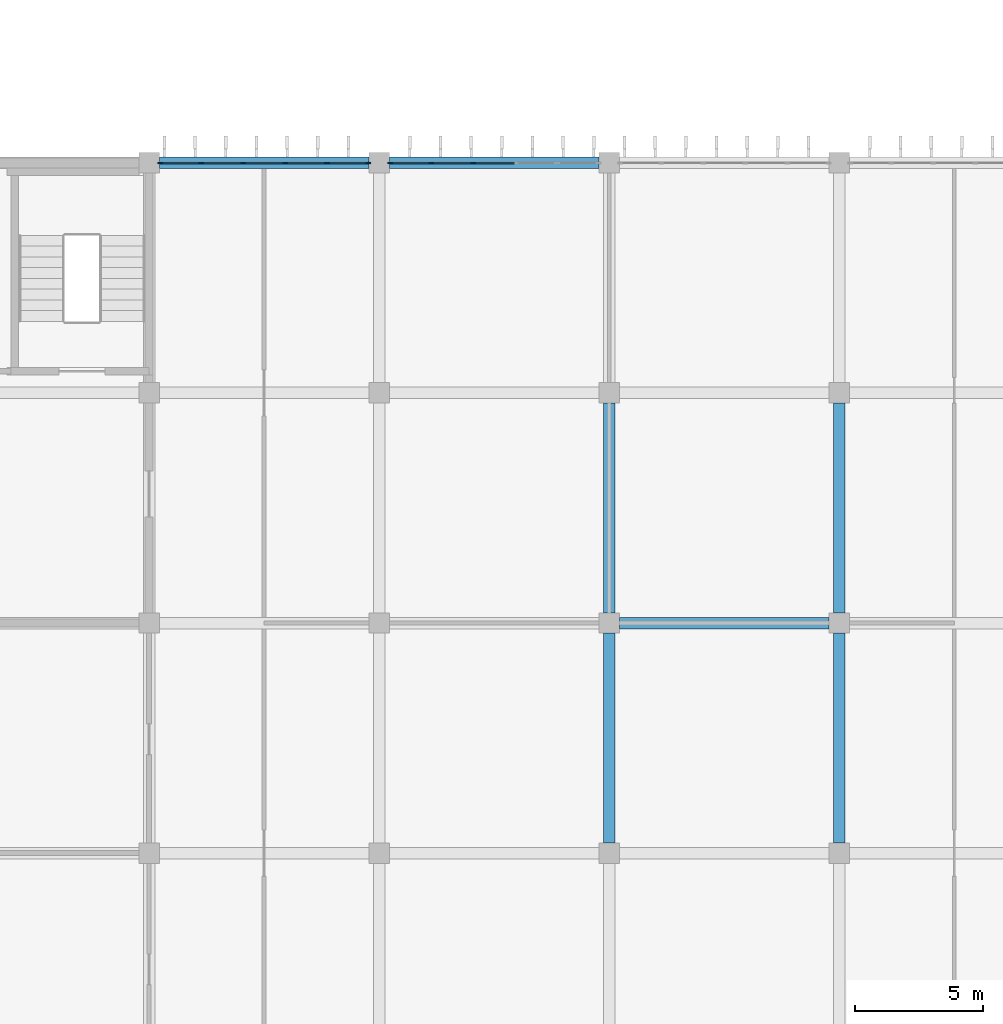
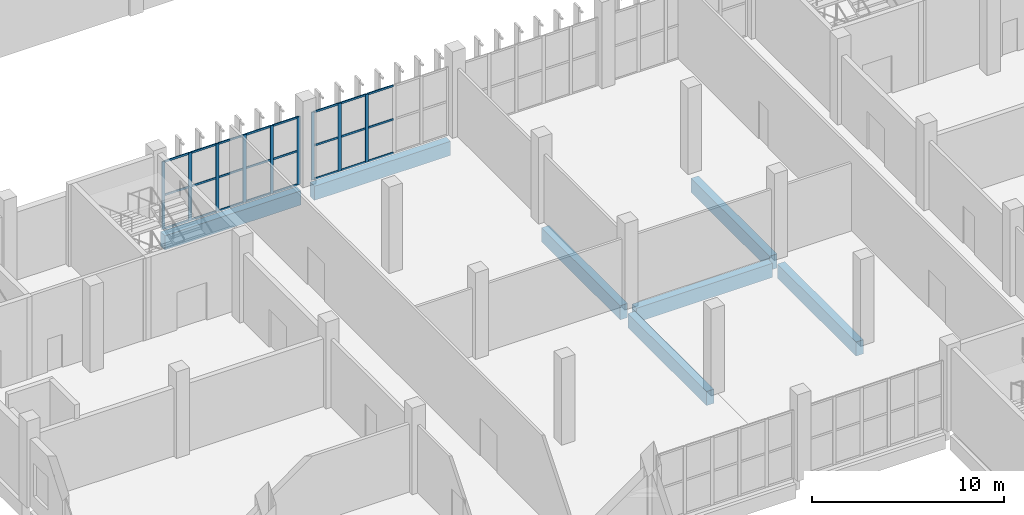
# One storey, part 26 of 185: 33 members, 7 beams, 2 elements without a shape of their own.
"""IFC4 building model written with IfcOpenShell, lengths in metres."""

from ifc_helpers import new_model, si_unit, direction, frame, origin, origin_2d, place, context, subcontext, project, spatial, rectangle, extrude, material, layer, layer_set, material_profile, profile_set, type_object, element, aggregate, save


model = new_model("IFC4")

# Units and contexts
model_context = context("Model", 3, precision=1e-05, world=origin(), true_north=direction((0.0, 1.0)))
body_context = subcontext(model_context, "Body", "Model", "MODEL_VIEW")
ifc_project = project(units=[si_unit("LENGTHUNIT", "METRE"), si_unit("AREAUNIT", "SQUARE_METRE"), si_unit("VOLUMEUNIT", "CUBIC_METRE"), si_unit("PLANEANGLEUNIT", "RADIAN"), si_unit("MASSUNIT", "GRAM", prefix="KILO")], contexts=[model_context])

# Site, building, storey
site_placement = place(None, origin())
site = spatial("IfcSite", under=ifc_project, at=site_placement, CompositionType="ELEMENT")
building_placement = place(site_placement, origin())
building = spatial("IfcBuilding", under=site, at=building_placement, Name="Opaline Strait Convention Centre", CompositionType="ELEMENT")
storey_placement = place(building_placement, frame((0.0, 0.0, 6.0)))
storey = spatial("IfcBuildingStorey", under=building, at=storey_placement, Name="L01", CompositionType="ELEMENT", Elevation=6.0)

# Curtain wall, members
ifc_material_1 = material(Name="Aluminium framed double glazing", Category="aluminium")
ifc_layer = layer(ifc_material_1, 0.199951171875)
ifc_layer_set = layer_set([ifc_layer], Name="Aluminium framed double glazing")
curtain_wall_type = type_object("IfcCurtainWallType", Name="Curtain wall 1500 module", PredefinedType="NOTDEFINED", material=ifc_layer_set)
curtain_wall_1_placement = place(storey_placement, origin())
curtain_wall_1 = element("IfcCurtainWall", 1, at=curtain_wall_1_placement, inside=storey, type_object=curtain_wall_type, Name="L01 N facade glazing bay 3", PredefinedType="NOTDEFINED")
ifc_material_2 = material(Name="Aluminium alloy 6063", Category="aluminium")
ifc_material_profile_1 = material_profile(ifc_material_2, rectangle(XDim=0.06005859375, YDim=0.199951171875, at=origin_2d()), Name="Curtain wall mullion 60x200")
ifc_profile_set_1 = profile_set([ifc_material_profile_1], Name="Aluminium alloy 6063")
member_type_1 = type_object("IfcMemberType", Name="Curtain wall mullion 60x200", PredefinedType="MULLION", material=ifc_profile_set_1)
member_1_placement = place(storey_placement, frame((27.429931640625, 99.0, 0.0), z_axis=(0.0, 0.0, 1.0), x_axis=(0.0, 1.0, 0.0)))
member_1 = element("IfcMember", 2, at=member_1_placement, type_object=member_type_1, Name="RCW1 mullion 1", PredefinedType="MULLION", context=body_context, shape_type="SweptSolid", body=[
    extrude(rectangle(XDim=0.06005859375, YDim=0.199951171875, at=origin_2d()), origin(), (0.0, 0.0, 1.0), 4.320068359375),
])
member_2_placement = place(storey_placement, frame((29.0400390625, 99.0, 0.0), z_axis=(0.0, 0.0, 1.0), x_axis=(0.0, 1.0, 0.0)))
member_2 = element("IfcMember", 3, at=member_2_placement, type_object=member_type_1, Name="RCW1 mullion 2", PredefinedType="MULLION", context=body_context, shape_type="SweptSolid", body=[
    extrude(rectangle(XDim=0.06005859375, YDim=0.199951171875, at=origin_2d()), origin(), (0.0, 0.0, 1.0), 4.320068359375),
])
member_3_placement = place(storey_placement, frame((30.679931640625, 99.0, 0.0), z_axis=(0.0, 0.0, 1.0), x_axis=(0.0, 1.0, 0.0)))
member_3 = element("IfcMember", 4, at=member_3_placement, type_object=member_type_1, Name="RCW1 mullion 3", PredefinedType="MULLION", context=body_context, shape_type="SweptSolid", body=[
    extrude(rectangle(XDim=0.06005859375, YDim=0.199951171875, at=origin_2d()), origin(), (0.0, 0.0, 1.0), 4.320068359375),
])
member_4_placement = place(storey_placement, frame((32.320068359375, 99.0, 0.0), z_axis=(0.0, 0.0, 1.0), x_axis=(0.0, 1.0, 0.0)))
member_4 = element("IfcMember", 5, at=member_4_placement, type_object=member_type_1, Name="RCW1 mullion 4", PredefinedType="MULLION", context=body_context, shape_type="SweptSolid", body=[
    extrude(rectangle(XDim=0.06005859375, YDim=0.199951171875, at=origin_2d()), origin(), (0.0, 0.0, 1.0), 4.320068359375),
])
member_5_placement = place(storey_placement, frame((33.9599609375, 99.0, 0.0), z_axis=(0.0, 0.0, 1.0), x_axis=(0.0, 1.0, 0.0)))
member_5 = element("IfcMember", 6, at=member_5_placement, type_object=member_type_1, Name="RCW1 mullion 5", PredefinedType="MULLION", context=body_context, shape_type="SweptSolid", body=[
    extrude(rectangle(XDim=0.06005859375, YDim=0.199951171875, at=origin_2d()), origin(), (0.0, 0.0, 1.0), 4.320068359375),
])
member_6_placement = place(storey_placement, frame((35.570068359375, 99.0, 0.0), z_axis=(0.0, 0.0, 1.0), x_axis=(0.0, 1.0, 0.0)))
member_6 = element("IfcMember", 7, at=member_6_placement, type_object=member_type_1, Name="RCW1 mullion 6", PredefinedType="MULLION", context=body_context, shape_type="SweptSolid", body=[
    extrude(rectangle(XDim=0.06005859375, YDim=0.199951171875, at=origin_2d()), origin(), (0.0, 0.0, 1.0), 4.320068359375),
])

curtain_wall_2_placement = place(storey_placement, origin())
curtain_wall_2 = element("IfcCurtainWall", 8, at=curtain_wall_2_placement, inside=storey, type_object=curtain_wall_type, Name="L01 N facade glazing bay 4", PredefinedType="NOTDEFINED")
member_7_placement = place(storey_placement, frame((36.429931640625, 99.0, 0.0), z_axis=(0.0, 0.0, 1.0), x_axis=(0.0, 1.0, 0.0)))
member_7 = element("IfcMember", 9, at=member_7_placement, type_object=member_type_1, Name="RCW1 mullion 1", PredefinedType="MULLION", context=body_context, shape_type="SweptSolid", body=[
    extrude(rectangle(XDim=0.06005859375, YDim=0.199951171875, at=origin_2d()), origin(), (0.0, 0.0, 1.0), 4.320068359375),
])
member_8_placement = place(storey_placement, frame((38.0400390625, 99.0, 0.0), z_axis=(0.0, 0.0, 1.0), x_axis=(0.0, 1.0, 0.0)))
member_8 = element("IfcMember", 10, at=member_8_placement, type_object=member_type_1, Name="RCW1 mullion 2", PredefinedType="MULLION", context=body_context, shape_type="SweptSolid", body=[
    extrude(rectangle(XDim=0.06005859375, YDim=0.199951171875, at=origin_2d()), origin(), (0.0, 0.0, 1.0), 4.320068359375),
])
member_9_placement = place(storey_placement, frame((39.679931640625, 99.0, 0.0), z_axis=(0.0, 0.0, 1.0), x_axis=(0.0, 1.0, 0.0)))
member_9 = element("IfcMember", 11, at=member_9_placement, type_object=member_type_1, Name="RCW1 mullion 3", PredefinedType="MULLION", context=body_context, shape_type="SweptSolid", body=[
    extrude(rectangle(XDim=0.06005859375, YDim=0.199951171875, at=origin_2d()), origin(), (0.0, 0.0, 1.0), 4.320068359375),
])

# Member
ifc_material_profile_2 = material_profile(ifc_material_2, rectangle(XDim=0.06005859375, YDim=0.1201171875, at=origin_2d()), Name="Curtain wall transom 60x120")
ifc_profile_set_2 = profile_set([ifc_material_profile_2], Name="Aluminium alloy 6063")
member_type_2 = type_object("IfcMemberType", Name="Curtain wall transom 60x120", PredefinedType="USERDEFINED", material=ifc_profile_set_2)
member_10_placement = place(storey_placement, frame((27.4599609375, 99.0, 0.030029296875), z_axis=(1.0, 0.0, 0.0), x_axis=(0.0, 1.0, 0.0)))
member_10 = element("IfcMember", 12, at=member_10_placement, type_object=member_type_2, Name="RCW1 transom 1.1", ObjectType="TRANSOM", PredefinedType="USERDEFINED", context=body_context, shape_type="SweptSolid", body=[
    extrude(rectangle(XDim=0.06005859375, YDim=0.1201171875, at=origin_2d()), origin(), (0.0, 0.0, 1.0), 1.550048828125),
])

member_11_placement = place(storey_placement, frame((27.4599609375, 99.0, 2.159912109375), z_axis=(1.0, 0.0, 0.0), x_axis=(0.0, 1.0, 0.0)))
member_11 = element("IfcMember", 13, at=member_11_placement, type_object=member_type_2, Name="RCW1 transom 1.2", ObjectType="TRANSOM", PredefinedType="USERDEFINED", context=body_context, shape_type="SweptSolid", body=[
    extrude(rectangle(XDim=0.06005859375, YDim=0.1201171875, at=origin_2d()), origin(), (0.0, 0.0, 1.0), 1.550048828125),
])

member_12_placement = place(storey_placement, frame((27.4599609375, 99.0, 4.2900390625), z_axis=(1.0, 0.0, 0.0), x_axis=(0.0, 1.0, 0.0)))
member_12 = element("IfcMember", 14, at=member_12_placement, type_object=member_type_2, Name="RCW1 transom 1.3", ObjectType="TRANSOM", PredefinedType="USERDEFINED", context=body_context, shape_type="SweptSolid", body=[
    extrude(rectangle(XDim=0.06005859375, YDim=0.1201171875, at=origin_2d()), origin(), (0.0, 0.0, 1.0), 1.550048828125),
])

member_13_placement = place(storey_placement, frame((29.06982421875, 99.0, 0.030029296875), z_axis=(1.0, 0.0, 0.0), x_axis=(0.0, 1.0, 0.0)))
member_13 = element("IfcMember", 15, at=member_13_placement, type_object=member_type_2, Name="RCW1 transom 2.1", ObjectType="TRANSOM", PredefinedType="USERDEFINED", context=body_context, shape_type="SweptSolid", body=[
    extrude(rectangle(XDim=0.06005859375, YDim=0.1201171875, at=origin_2d()), origin(), (0.0, 0.0, 1.0), 1.580078125),
])

member_14_placement = place(storey_placement, frame((29.06982421875, 99.0, 2.159912109375), z_axis=(1.0, 0.0, 0.0), x_axis=(0.0, 1.0, 0.0)))
member_14 = element("IfcMember", 16, at=member_14_placement, type_object=member_type_2, Name="RCW1 transom 2.2", ObjectType="TRANSOM", PredefinedType="USERDEFINED", context=body_context, shape_type="SweptSolid", body=[
    extrude(rectangle(XDim=0.06005859375, YDim=0.1201171875, at=origin_2d()), origin(), (0.0, 0.0, 1.0), 1.580078125),
])

member_15_placement = place(storey_placement, frame((29.06982421875, 99.0, 4.2900390625), z_axis=(1.0, 0.0, 0.0), x_axis=(0.0, 1.0, 0.0)))
member_15 = element("IfcMember", 17, at=member_15_placement, type_object=member_type_2, Name="RCW1 transom 2.3", ObjectType="TRANSOM", PredefinedType="USERDEFINED", context=body_context, shape_type="SweptSolid", body=[
    extrude(rectangle(XDim=0.06005859375, YDim=0.1201171875, at=origin_2d()), origin(), (0.0, 0.0, 1.0), 1.580078125),
])

member_16_placement = place(storey_placement, frame((30.7099609375, 99.0, 0.030029296875), z_axis=(1.0, 0.0, 0.0), x_axis=(0.0, 1.0, 0.0)))
member_16 = element("IfcMember", 18, at=member_16_placement, type_object=member_type_2, Name="RCW1 transom 3.1", ObjectType="TRANSOM", PredefinedType="USERDEFINED", context=body_context, shape_type="SweptSolid", body=[
    extrude(rectangle(XDim=0.06005859375, YDim=0.1201171875, at=origin_2d()), origin(), (0.0, 0.0, 1.0), 1.580078125),
])

member_17_placement = place(storey_placement, frame((30.7099609375, 99.0, 2.159912109375), z_axis=(1.0, 0.0, 0.0), x_axis=(0.0, 1.0, 0.0)))
member_17 = element("IfcMember", 19, at=member_17_placement, type_object=member_type_2, Name="RCW1 transom 3.2", ObjectType="TRANSOM", PredefinedType="USERDEFINED", context=body_context, shape_type="SweptSolid", body=[
    extrude(rectangle(XDim=0.06005859375, YDim=0.1201171875, at=origin_2d()), origin(), (0.0, 0.0, 1.0), 1.580078125),
])

member_18_placement = place(storey_placement, frame((30.7099609375, 99.0, 4.2900390625), z_axis=(1.0, 0.0, 0.0), x_axis=(0.0, 1.0, 0.0)))
member_18 = element("IfcMember", 20, at=member_18_placement, type_object=member_type_2, Name="RCW1 transom 3.3", ObjectType="TRANSOM", PredefinedType="USERDEFINED", context=body_context, shape_type="SweptSolid", body=[
    extrude(rectangle(XDim=0.06005859375, YDim=0.1201171875, at=origin_2d()), origin(), (0.0, 0.0, 1.0), 1.580078125),
])

member_19_placement = place(storey_placement, frame((32.35009765625, 99.0, 0.030029296875), z_axis=(1.0, 0.0, 0.0), x_axis=(0.0, 1.0, 0.0)))
member_19 = element("IfcMember", 21, at=member_19_placement, type_object=member_type_2, Name="RCW1 transom 4.1", ObjectType="TRANSOM", PredefinedType="USERDEFINED", context=body_context, shape_type="SweptSolid", body=[
    extrude(rectangle(XDim=0.06005859375, YDim=0.1201171875, at=origin_2d()), origin(), (0.0, 0.0, 1.0), 1.580078125),
])

member_20_placement = place(storey_placement, frame((32.35009765625, 99.0, 2.159912109375), z_axis=(1.0, 0.0, 0.0), x_axis=(0.0, 1.0, 0.0)))
member_20 = element("IfcMember", 22, at=member_20_placement, type_object=member_type_2, Name="RCW1 transom 4.2", ObjectType="TRANSOM", PredefinedType="USERDEFINED", context=body_context, shape_type="SweptSolid", body=[
    extrude(rectangle(XDim=0.06005859375, YDim=0.1201171875, at=origin_2d()), origin(), (0.0, 0.0, 1.0), 1.580078125),
])

member_21_placement = place(storey_placement, frame((32.35009765625, 99.0, 4.2900390625), z_axis=(1.0, 0.0, 0.0), x_axis=(0.0, 1.0, 0.0)))
member_21 = element("IfcMember", 23, at=member_21_placement, type_object=member_type_2, Name="RCW1 transom 4.3", ObjectType="TRANSOM", PredefinedType="USERDEFINED", context=body_context, shape_type="SweptSolid", body=[
    extrude(rectangle(XDim=0.06005859375, YDim=0.1201171875, at=origin_2d()), origin(), (0.0, 0.0, 1.0), 1.580078125),
])

member_22_placement = place(storey_placement, frame((33.989990234375, 99.0, 0.030029296875), z_axis=(1.0, 0.0, 0.0), x_axis=(0.0, 1.0, 0.0)))
member_22 = element("IfcMember", 24, at=member_22_placement, type_object=member_type_2, Name="RCW1 transom 5.1", ObjectType="TRANSOM", PredefinedType="USERDEFINED", context=body_context, shape_type="SweptSolid", body=[
    extrude(rectangle(XDim=0.06005859375, YDim=0.1201171875, at=origin_2d()), origin(), (0.0, 0.0, 1.0), 1.550048828125),
])

member_23_placement = place(storey_placement, frame((33.989990234375, 99.0, 2.159912109375), z_axis=(1.0, 0.0, 0.0), x_axis=(0.0, 1.0, 0.0)))
member_23 = element("IfcMember", 25, at=member_23_placement, type_object=member_type_2, Name="RCW1 transom 5.2", ObjectType="TRANSOM", PredefinedType="USERDEFINED", context=body_context, shape_type="SweptSolid", body=[
    extrude(rectangle(XDim=0.06005859375, YDim=0.1201171875, at=origin_2d()), origin(), (0.0, 0.0, 1.0), 1.550048828125),
])

member_24_placement = place(storey_placement, frame((33.989990234375, 99.0, 4.2900390625), z_axis=(1.0, 0.0, 0.0), x_axis=(0.0, 1.0, 0.0)))
member_24 = element("IfcMember", 26, at=member_24_placement, type_object=member_type_2, Name="RCW1 transom 5.3", ObjectType="TRANSOM", PredefinedType="USERDEFINED", context=body_context, shape_type="SweptSolid", body=[
    extrude(rectangle(XDim=0.06005859375, YDim=0.1201171875, at=origin_2d()), origin(), (0.0, 0.0, 1.0), 1.550048828125),
])

aggregate(curtain_wall_1, [member_1, member_2, member_3, member_4, member_5, member_6, member_10, member_11, member_12, member_13, member_14, member_15, member_16, member_17, member_18, member_19, member_20, member_21, member_22, member_23, member_24])

member_25_placement = place(storey_placement, frame((36.4599609375, 99.0, 0.030029296875), z_axis=(1.0, 0.0, 0.0), x_axis=(0.0, 1.0, 0.0)))
member_25 = element("IfcMember", 27, at=member_25_placement, type_object=member_type_2, Name="RCW1 transom 1.1", ObjectType="TRANSOM", PredefinedType="USERDEFINED", context=body_context, shape_type="SweptSolid", body=[
    extrude(rectangle(XDim=0.06005859375, YDim=0.1201171875, at=origin_2d()), origin(), (0.0, 0.0, 1.0), 1.550048828125),
])

member_26_placement = place(storey_placement, frame((36.4599609375, 99.0, 2.159912109375), z_axis=(1.0, 0.0, 0.0), x_axis=(0.0, 1.0, 0.0)))
member_26 = element("IfcMember", 28, at=member_26_placement, type_object=member_type_2, Name="RCW1 transom 1.2", ObjectType="TRANSOM", PredefinedType="USERDEFINED", context=body_context, shape_type="SweptSolid", body=[
    extrude(rectangle(XDim=0.06005859375, YDim=0.1201171875, at=origin_2d()), origin(), (0.0, 0.0, 1.0), 1.550048828125),
])

member_27_placement = place(storey_placement, frame((36.4599609375, 99.0, 4.2900390625), z_axis=(1.0, 0.0, 0.0), x_axis=(0.0, 1.0, 0.0)))
member_27 = element("IfcMember", 29, at=member_27_placement, type_object=member_type_2, Name="RCW1 transom 1.3", ObjectType="TRANSOM", PredefinedType="USERDEFINED", context=body_context, shape_type="SweptSolid", body=[
    extrude(rectangle(XDim=0.06005859375, YDim=0.1201171875, at=origin_2d()), origin(), (0.0, 0.0, 1.0), 1.550048828125),
])

member_28_placement = place(storey_placement, frame((38.06982421875, 99.0, 0.030029296875), z_axis=(1.0, 0.0, 0.0), x_axis=(0.0, 1.0, 0.0)))
member_28 = element("IfcMember", 30, at=member_28_placement, type_object=member_type_2, Name="RCW1 transom 2.1", ObjectType="TRANSOM", PredefinedType="USERDEFINED", context=body_context, shape_type="SweptSolid", body=[
    extrude(rectangle(XDim=0.06005859375, YDim=0.1201171875, at=origin_2d()), origin(), (0.0, 0.0, 1.0), 1.580078125),
])

member_29_placement = place(storey_placement, frame((38.06982421875, 99.0, 2.159912109375), z_axis=(1.0, 0.0, 0.0), x_axis=(0.0, 1.0, 0.0)))
member_29 = element("IfcMember", 31, at=member_29_placement, type_object=member_type_2, Name="RCW1 transom 2.2", ObjectType="TRANSOM", PredefinedType="USERDEFINED", context=body_context, shape_type="SweptSolid", body=[
    extrude(rectangle(XDim=0.06005859375, YDim=0.1201171875, at=origin_2d()), origin(), (0.0, 0.0, 1.0), 1.580078125),
])

member_30_placement = place(storey_placement, frame((38.06982421875, 99.0, 4.2900390625), z_axis=(1.0, 0.0, 0.0), x_axis=(0.0, 1.0, 0.0)))
member_30 = element("IfcMember", 32, at=member_30_placement, type_object=member_type_2, Name="RCW1 transom 2.3", ObjectType="TRANSOM", PredefinedType="USERDEFINED", context=body_context, shape_type="SweptSolid", body=[
    extrude(rectangle(XDim=0.06005859375, YDim=0.1201171875, at=origin_2d()), origin(), (0.0, 0.0, 1.0), 1.580078125),
])

member_31_placement = place(storey_placement, frame((39.7099609375, 99.0, 0.030029296875), z_axis=(1.0, 0.0, 0.0), x_axis=(0.0, 1.0, 0.0)))
member_31 = element("IfcMember", 33, at=member_31_placement, type_object=member_type_2, Name="RCW1 transom 3.1", ObjectType="TRANSOM", PredefinedType="USERDEFINED", context=body_context, shape_type="SweptSolid", body=[
    extrude(rectangle(XDim=0.06005859375, YDim=0.1201171875, at=origin_2d()), origin(), (0.0, 0.0, 1.0), 1.580078125),
])

member_32_placement = place(storey_placement, frame((39.7099609375, 99.0, 2.159912109375), z_axis=(1.0, 0.0, 0.0), x_axis=(0.0, 1.0, 0.0)))
member_32 = element("IfcMember", 34, at=member_32_placement, type_object=member_type_2, Name="RCW1 transom 3.2", ObjectType="TRANSOM", PredefinedType="USERDEFINED", context=body_context, shape_type="SweptSolid", body=[
    extrude(rectangle(XDim=0.06005859375, YDim=0.1201171875, at=origin_2d()), origin(), (0.0, 0.0, 1.0), 1.580078125),
])

member_33_placement = place(storey_placement, frame((39.7099609375, 99.0, 4.2900390625), z_axis=(1.0, 0.0, 0.0), x_axis=(0.0, 1.0, 0.0)))
member_33 = element("IfcMember", 35, at=member_33_placement, type_object=member_type_2, Name="RCW1 transom 3.3", ObjectType="TRANSOM", PredefinedType="USERDEFINED", context=body_context, shape_type="SweptSolid", body=[
    extrude(rectangle(XDim=0.06005859375, YDim=0.1201171875, at=origin_2d()), origin(), (0.0, 0.0, 1.0), 1.580078125),
])

aggregate(curtain_wall_2, [member_7, member_8, member_9, member_25, member_26, member_27, member_28, member_29, member_30, member_31, member_32, member_33])

# Beams
ifc_material_3 = material(Name="Concrete C35", Category="concrete")
ifc_material_profile_3 = material_profile(ifc_material_3, rectangle(XDim=0.449951171875, YDim=0.89990234375, at=origin_2d()), Name="RC 450x900")
ifc_profile_set_3 = profile_set([ifc_material_profile_3], Name="Concrete C35")
beam_type = type_object("IfcBeamType", Name="RC beam 450x900 C35", PredefinedType="BEAM", material=ifc_profile_set_3)
for number, where, z_axis, x_axis, name in (
    (36, (45.39990234375, 81.0, -0.72998046875), (1.0, 0.0, 0.0), (0.0, 1.0, 0.0), "XB1 L01 45/81-54/81"),
    (37, (27.39990234375, 99.0, -0.72998046875), (1.0, 0.0, 0.0), (0.0, 1.0, 0.0), "XB1 L01 27/99-36/99"),
    (38, (36.39990234375, 99.0, -0.72998046875), (1.0, 0.0, 0.0), (0.0, 1.0, 0.0), "XB1 L01 36/99-45/99"),
    (39, (45.0, 72.39990234375, -0.72998046875), (0.0, 1.0, 0.0), (-1.0, 0.0, 0.0), "XB1 L01 45/72-45/81"),
    (40, (45.0, 81.39990234375, -0.72998046875), (0.0, 1.0, 0.0), (-1.0, 0.0, 0.0), "XB1 L01 45/81-45/90"),
    (41, (54.0, 72.39990234375, -0.72998046875), (0.0, 1.0, 0.0), (-1.0, 0.0, 0.0), "XB1 L01 54/72-54/81"),
    (42, (54.0, 81.39990234375, -0.72998046875), (0.0, 1.0, 0.0), (-1.0, 0.0, 0.0), "XB1 L01 54/81-54/90"),
):
    element("IfcBeam", number, at=place(storey_placement, frame(where, z_axis=z_axis, x_axis=x_axis)), inside=storey, type_object=beam_type, Name=name, PredefinedType="BEAM", context=body_context, shape_type="SweptSolid", body=[
        extrude(rectangle(XDim=0.449951171875, YDim=0.89990234375, at=origin_2d()), origin(), (0.0, 0.0, 1.0), 8.2001953125),
    ])

save(model, "model.ifc")
